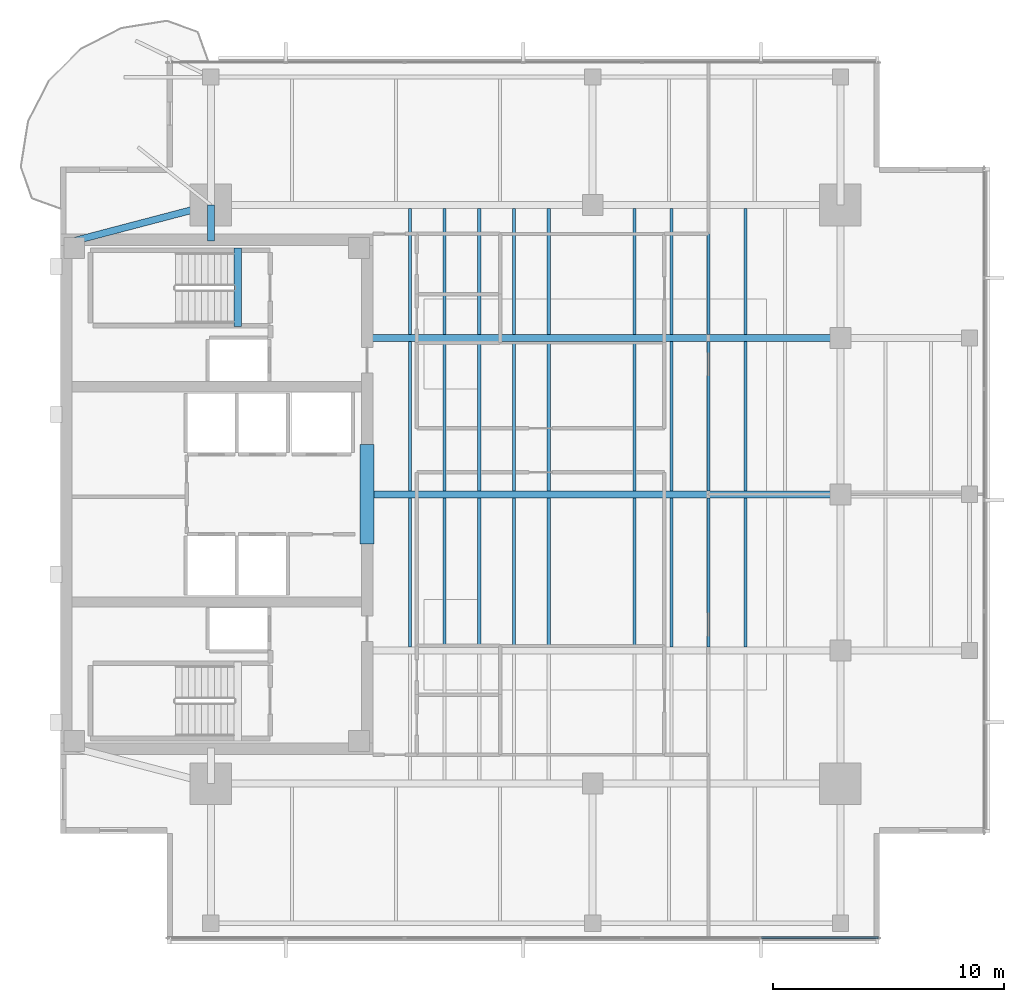
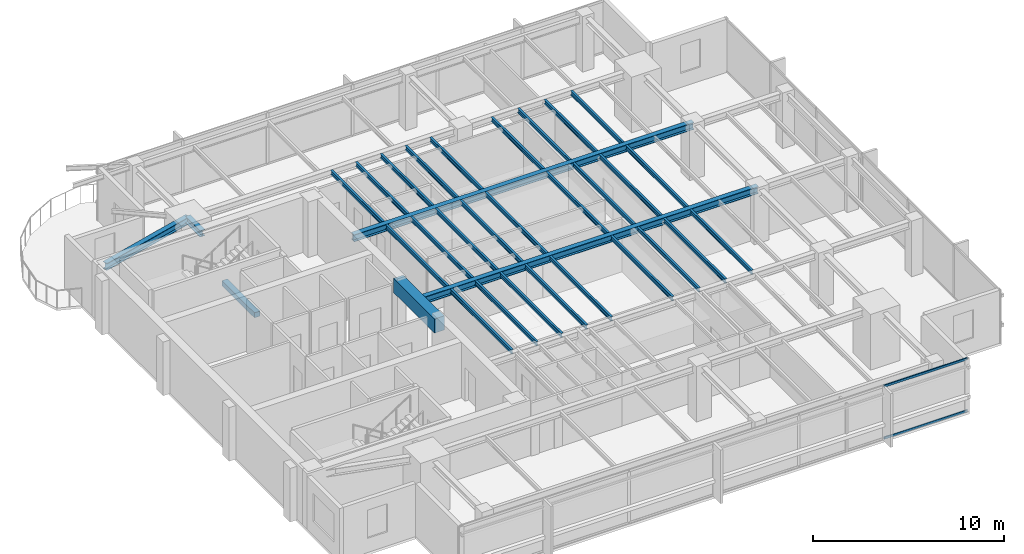
# One storey, part 3 of 14: 33 beams, 2 members, 1 element without a shape of its own.
"""IFC4 building model written with IfcOpenShell, lengths in metres."""

from ifc_helpers import new_model, si_unit, direction, frame, origin, origin_2d, place, context, subcontext, project, spatial, rectangle, i_section, extrude, material, layer, layer_set, material_profile, profile_set, type_object, element, aggregate, save


model = new_model("IFC4")

# Units and contexts
model_context = context("Model", 3, precision=1e-05, world=origin(), true_north=direction((0.0, 1.0)))
body_context = subcontext(model_context, "Body", "Model", "MODEL_VIEW")
ifc_project = project(units=[si_unit("LENGTHUNIT", "METRE"), si_unit("AREAUNIT", "SQUARE_METRE"), si_unit("VOLUMEUNIT", "CUBIC_METRE"), si_unit("PLANEANGLEUNIT", "RADIAN"), si_unit("MASSUNIT", "GRAM", prefix="KILO")], contexts=[model_context])

# Site, building, storey
site_placement = place(None, origin())
site = spatial("IfcSite", under=ifc_project, at=site_placement, CompositionType="ELEMENT")
building_placement = place(site_placement, origin())
building = spatial("IfcBuilding", under=site, at=building_placement, Name="Kinhvarn Gate Tower", CompositionType="ELEMENT")
storey_placement = place(building_placement, frame((0.0, 0.0, 259.89990234375)))
storey = spatial("IfcBuildingStorey", under=building, at=storey_placement, Name="L69", CompositionType="ELEMENT", Elevation=259.89990234375)

# Beams
ifc_material_1 = material(Name="Concrete C60/75", Category="concrete")
ifc_material_profile_1 = material_profile(ifc_material_1, rectangle(XDim=0.60009765625, YDim=0.89990234375, at=origin_2d()), Name="RC 600x900")
ifc_profile_set_1 = profile_set([ifc_material_profile_1], Name="Concrete C60/75")
beam_type_1 = type_object("IfcBeamType", Name="BM-CB-900", PredefinedType="LINTEL", material=ifc_profile_set_1)
beam_1_placement = place(storey_placement, frame((17.75, 23.10009765625, 2.940185546875), z_axis=(0.0, 1.0, 0.0), x_axis=(-1.0, 0.0, 0.0)))
element("IfcBeam", 1, at=beam_1_placement, inside=storey, type_object=beam_type_1, Name="Core East Portal Coupling Beam L69", PredefinedType="LINTEL", context=body_context, shape_type="SweptSolid", body=[
    extrude(rectangle(XDim=0.60009765625, YDim=0.89990234375, at=origin_2d()), origin(), (0.0, 0.0, 1.0), 4.2998046875),
])
ifc_material_2 = material(Name="Concrete C50/60", Category="concrete")
ifc_material_profile_2 = material_profile(ifc_material_2, rectangle(XDim=0.340087890625, YDim=0.320068359375, at=origin_2d()), Name="RC 340x320")
ifc_profile_set_2 = profile_set([ifc_material_profile_2], Name="Concrete C50/60")
beam_type_2 = type_object("IfcBeamType", Name="BM-LND-500", PredefinedType="BEAM", material=ifc_profile_set_2)
beam_2_placement = place(storey_placement, frame((12.1650390625, 32.5, -0.159912109375), z_axis=(0.0, 1.0, 0.0), x_axis=(-1.0, 0.0, 0.0)))
element("IfcBeam", 2, at=beam_2_placement, inside=storey, type_object=beam_type_2, Name="Stair ST2 Landing Nosing Beam (L69)", PredefinedType="BEAM", context=body_context, shape_type="SweptSolid", body=[
    extrude(rectangle(XDim=0.340087890625, YDim=0.320068359375, at=origin_2d()), origin(), (0.0, 0.0, 1.0), 3.39990234375),
])

# Curtain wall, members
ifc_material_3 = material(Name="Anodised aluminium AW-6063", Category="aluminium")
ifc_layer = layer(ifc_material_3, 0.179931640625)
ifc_layer_set = layer_set([ifc_layer], Name="Anodised aluminium AW-6063")
curtain_wall_type = type_object("IfcCurtainWallType", Name="CW-SYS-3", PredefinedType="NOTDEFINED", material=ifc_layer_set)
curtain_wall_placement = place(storey_placement, origin())
curtain_wall = element("IfcCurtainWall", 3, at=curtain_wall_placement, inside=storey, type_object=curtain_wall_type, Name="Curtain Wall CW3 (L69)", PredefinedType="NOTDEFINED")
ifc_material_profile_3 = material_profile(ifc_material_3, rectangle(XDim=0.070068359375, YDim=0.139892578125, at=origin_2d()), Name="ALU 70x140")
ifc_profile_set_3 = profile_set([ifc_material_profile_3], Name="Anodised aluminium AW-6063")
member_type = type_object("IfcMemberType", Name="CW-TRN-140", PredefinedType="USERDEFINED", material=ifc_profile_set_3)
member_1_placement = place(storey_placement, frame((34.799072265625, 6.090087890625, 0.03515625), z_axis=(1.0, 0.0, 0.0), x_axis=(0.0, 1.0, 0.0)))
member_1 = element("IfcMember", 4, at=member_1_placement, type_object=member_type, Name="CW3 transom 6.1", ObjectType="TRANSOM", PredefinedType="USERDEFINED", context=body_context, shape_type="SweptSolid", body=[
    extrude(rectangle(XDim=0.070068359375, YDim=0.139892578125, at=origin_2d()), origin(), (0.0, 0.0, 1.0), 5.035888671875),
])
member_2_placement = place(storey_placement, frame((34.799072265625, 6.090087890625, 3.35498046875), z_axis=(1.0, 0.0, 0.0), x_axis=(0.0, 1.0, 0.0)))
member_2 = element("IfcMember", 5, at=member_2_placement, type_object=member_type, Name="CW3 transom 6.2", ObjectType="TRANSOM", PredefinedType="USERDEFINED", context=body_context, shape_type="SweptSolid", body=[
    extrude(rectangle(XDim=0.070068359375, YDim=0.139892578125, at=origin_2d()), origin(), (0.0, 0.0, 1.0), 5.035888671875),
])
aggregate(curtain_wall, [member_1, member_2])

# Beams
ifc_material_4 = material(Name="Steel S355", Category="steel")
ifc_material_profile_4 = material_profile(ifc_material_4, i_section(OverallWidth=0.300048828125, OverallDepth=0.39990234375, WebThickness=0.013427734375, FlangeThickness=0.02392578125, at=origin_2d()), Name="HEB 400")
ifc_profile_set_4 = profile_set([ifc_material_profile_4], Name="Steel S355")
beam_type_3 = type_object("IfcBeamType", Name="STL-HEB400", PredefinedType="BEAM", material=ifc_profile_set_4)
beam_3_placement = place(storey_placement, frame((11.0, 36.199951171875, 3.190185546875), z_axis=(0.0, 1.0, 0.0), x_axis=(-1.0, 0.0, 0.0)))
element("IfcBeam", 6, at=beam_3_placement, inside=storey, type_object=beam_type_3, Name="Floor Beam PG-12 (L69 MCW-CN)", PredefinedType="BEAM", context=body_context, shape_type="SweptSolid", body=[
    extrude(i_section(OverallWidth=0.300048828125, OverallDepth=0.39990234375, WebThickness=0.013427734375, FlangeThickness=0.02392578125, at=origin_2d()), origin(), (0.0, 0.0, 1.0), 1.550048828125),
])
ifc_material_profile_5 = material_profile(ifc_material_4, i_section(OverallWidth=0.300048828125, OverallDepth=0.449951171875, WebThickness=0.013916015625, FlangeThickness=0.02587890625, at=origin_2d()), Name="HEB 450")
ifc_profile_set_5 = profile_set([ifc_material_profile_5], Name="Steel S355")
beam_type_4 = type_object("IfcBeamType", Name="STL-HEB450", PredefinedType="BEAM", material=ifc_profile_set_5)
beam_4_placement = place(storey_placement, frame((5.10009765625, 36.199951171875, 3.1650390625), z_axis=(0.967177623957, 0.254101246979, 0.0), x_axis=(-0.254101246979, 0.967177623957, 0.0)))
element("IfcBeam", 7, at=beam_4_placement, inside=storey, type_object=beam_type_4, Name="Floor Beam PG-13 (L69 MG-NW-DIAG)", PredefinedType="BEAM", context=body_context, shape_type="SweptSolid", body=[
    extrude(i_section(OverallWidth=0.300048828125, OverallDepth=0.449951171875, WebThickness=0.013916015625, FlangeThickness=0.02587890625, at=origin_2d()), origin(), (0.0, 0.0, 1.0), 6.10009765625),
])
beam_5_placement = place(storey_placement, frame((18.050048828125, 25.25, 3.1650390625), z_axis=(1.0, 0.0, 0.0), x_axis=(0.0, 1.0, 0.0)))
element("IfcBeam", 8, at=beam_5_placement, inside=storey, type_object=beam_type_4, Name="Floor Beam PG-13 (L69 EW1-Y25)", PredefinedType="BEAM", context=body_context, shape_type="SweptSolid", body=[
    extrude(i_section(OverallWidth=0.300048828125, OverallDepth=0.449951171875, WebThickness=0.013916015625, FlangeThickness=0.02587890625, at=origin_2d()), origin(), (0.0, 0.0, 1.0), 20.14990234375),
])
beam_6_placement = place(storey_placement, frame((17.64990234375, 32.0, 3.1650390625), z_axis=(1.0, 0.0, 0.0), x_axis=(0.0, 1.0, 0.0)))
element("IfcBeam", 9, at=beam_6_placement, inside=storey, type_object=beam_type_4, Name="Floor Beam PG-13 (L69 EW1-Y32)", PredefinedType="BEAM", context=body_context, shape_type="SweptSolid", body=[
    extrude(i_section(OverallWidth=0.300048828125, OverallDepth=0.449951171875, WebThickness=0.013916015625, FlangeThickness=0.02587890625, at=origin_2d()), origin(), (0.0, 0.0, 1.0), 20.550048828125),
])
ifc_material_profile_6 = material_profile(ifc_material_4, i_section(OverallWidth=0.135009765625, OverallDepth=0.27001953125, WebThickness=0.006591796875, FlangeThickness=0.01025390625, at=origin_2d()), Name="IPE 270")
ifc_profile_set_6 = profile_set([ifc_material_profile_6], Name="Steel S355")
beam_type_5 = type_object("IfcBeamType", Name="STL-IPE270", PredefinedType="JOIST", material=ifc_profile_set_6)
for number, where, z_axis, x_axis, name in (
    (10, (19.60009765625, 18.64990234375, 3.255126953125), (0.0, 1.0, 0.0), (-1.0, 0.0, 0.0), "Floor Joist SB-01 (L69 JC-X196-1)"),
    (11, (19.60009765625, 25.39990234375, 3.255126953125), (0.0, 1.0, 0.0), (-1.0, 0.0, 0.0), "Floor Joist SB-01 (L69 JC-X196-2)"),
):
    element("IfcBeam", number, at=place(storey_placement, frame(where, z_axis=z_axis, x_axis=x_axis)), inside=storey, type_object=beam_type_5, Name=name, PredefinedType="JOIST", context=body_context, shape_type="SweptSolid", body=[
        extrude(i_section(OverallWidth=0.135009765625, OverallDepth=0.27001953125, WebThickness=0.006591796875, FlangeThickness=0.01025390625, at=origin_2d()), origin(), (0.0, 0.0, 1.0), 6.4501953125),
    ])
beam_7_placement = place(storey_placement, frame((19.60009765625, 32.14990234375, 3.255126953125), z_axis=(0.0, 1.0, 0.0), x_axis=(-1.0, 0.0, 0.0)))
element("IfcBeam", 12, at=beam_7_placement, inside=storey, type_object=beam_type_5, Name="Floor Joist SB-01 (L69 JC-X196-3)", PredefinedType="JOIST", context=body_context, shape_type="SweptSolid", body=[
    extrude(i_section(OverallWidth=0.135009765625, OverallDepth=0.27001953125, WebThickness=0.006591796875, FlangeThickness=0.01025390625, at=origin_2d()), origin(), (0.0, 0.0, 1.0), 5.4501953125),
])
for number, where, z_axis, x_axis, name in (
    (13, (21.10009765625, 18.64990234375, 3.255126953125), (0.0, 1.0, 0.0), (-1.0, 0.0, 0.0), "Floor Joist SB-01 (L69 JC-X211-1)"),
    (14, (21.10009765625, 25.39990234375, 3.255126953125), (0.0, 1.0, 0.0), (-1.0, 0.0, 0.0), "Floor Joist SB-01 (L69 JC-X211-2)"),
):
    element("IfcBeam", number, at=place(storey_placement, frame(where, z_axis=z_axis, x_axis=x_axis)), inside=storey, type_object=beam_type_5, Name=name, PredefinedType="JOIST", context=body_context, shape_type="SweptSolid", body=[
        extrude(i_section(OverallWidth=0.135009765625, OverallDepth=0.27001953125, WebThickness=0.006591796875, FlangeThickness=0.01025390625, at=origin_2d()), origin(), (0.0, 0.0, 1.0), 6.4501953125),
    ])
beam_8_placement = place(storey_placement, frame((21.10009765625, 32.14990234375, 3.255126953125), z_axis=(0.0, 1.0, 0.0), x_axis=(-1.0, 0.0, 0.0)))
element("IfcBeam", 15, at=beam_8_placement, inside=storey, type_object=beam_type_5, Name="Floor Joist SB-01 (L69 JC-X211-3)", PredefinedType="JOIST", context=body_context, shape_type="SweptSolid", body=[
    extrude(i_section(OverallWidth=0.135009765625, OverallDepth=0.27001953125, WebThickness=0.006591796875, FlangeThickness=0.01025390625, at=origin_2d()), origin(), (0.0, 0.0, 1.0), 5.4501953125),
])
for number, where, z_axis, x_axis, name in (
    (16, (22.60009765625, 18.64990234375, 3.255126953125), (0.0, 1.0, 0.0), (-1.0, 0.0, 0.0), "Floor Joist SB-01 (L69 JC-X226-1)"),
    (17, (22.60009765625, 25.39990234375, 3.255126953125), (0.0, 1.0, 0.0), (-1.0, 0.0, 0.0), "Floor Joist SB-01 (L69 JC-X226-2)"),
):
    element("IfcBeam", number, at=place(storey_placement, frame(where, z_axis=z_axis, x_axis=x_axis)), inside=storey, type_object=beam_type_5, Name=name, PredefinedType="JOIST", context=body_context, shape_type="SweptSolid", body=[
        extrude(i_section(OverallWidth=0.135009765625, OverallDepth=0.27001953125, WebThickness=0.006591796875, FlangeThickness=0.01025390625, at=origin_2d()), origin(), (0.0, 0.0, 1.0), 6.4501953125),
    ])
beam_9_placement = place(storey_placement, frame((22.60009765625, 32.14990234375, 3.255126953125), z_axis=(0.0, 1.0, 0.0), x_axis=(-1.0, 0.0, 0.0)))
element("IfcBeam", 18, at=beam_9_placement, inside=storey, type_object=beam_type_5, Name="Floor Joist SB-01 (L69 JC-X226-3)", PredefinedType="JOIST", context=body_context, shape_type="SweptSolid", body=[
    extrude(i_section(OverallWidth=0.135009765625, OverallDepth=0.27001953125, WebThickness=0.006591796875, FlangeThickness=0.01025390625, at=origin_2d()), origin(), (0.0, 0.0, 1.0), 5.4501953125),
])
for number, where, z_axis, x_axis, name in (
    (19, (24.10009765625, 18.64990234375, 3.255126953125), (0.0, 1.0, 0.0), (-1.0, 0.0, 0.0), "Floor Joist SB-01 (L69 JC-X241-1)"),
    (20, (24.10009765625, 25.39990234375, 3.255126953125), (0.0, 1.0, 0.0), (-1.0, 0.0, 0.0), "Floor Joist SB-01 (L69 JC-X241-2)"),
):
    element("IfcBeam", number, at=place(storey_placement, frame(where, z_axis=z_axis, x_axis=x_axis)), inside=storey, type_object=beam_type_5, Name=name, PredefinedType="JOIST", context=body_context, shape_type="SweptSolid", body=[
        extrude(i_section(OverallWidth=0.135009765625, OverallDepth=0.27001953125, WebThickness=0.006591796875, FlangeThickness=0.01025390625, at=origin_2d()), origin(), (0.0, 0.0, 1.0), 6.4501953125),
    ])
beam_10_placement = place(storey_placement, frame((24.10009765625, 32.14990234375, 3.255126953125), z_axis=(0.0, 1.0, 0.0), x_axis=(-1.0, 0.0, 0.0)))
element("IfcBeam", 21, at=beam_10_placement, inside=storey, type_object=beam_type_5, Name="Floor Joist SB-01 (L69 JC-X241-3)", PredefinedType="JOIST", context=body_context, shape_type="SweptSolid", body=[
    extrude(i_section(OverallWidth=0.135009765625, OverallDepth=0.27001953125, WebThickness=0.006591796875, FlangeThickness=0.01025390625, at=origin_2d()), origin(), (0.0, 0.0, 1.0), 5.4501953125),
])
for number, where, z_axis, x_axis, name in (
    (22, (25.60009765625, 18.64990234375, 3.255126953125), (0.0, 1.0, 0.0), (-1.0, 0.0, 0.0), "Floor Joist SB-01 (L69 JC-X256-1)"),
    (23, (25.60009765625, 25.39990234375, 3.255126953125), (0.0, 1.0, 0.0), (-1.0, 0.0, 0.0), "Floor Joist SB-01 (L69 JC-X256-2)"),
):
    element("IfcBeam", number, at=place(storey_placement, frame(where, z_axis=z_axis, x_axis=x_axis)), inside=storey, type_object=beam_type_5, Name=name, PredefinedType="JOIST", context=body_context, shape_type="SweptSolid", body=[
        extrude(i_section(OverallWidth=0.135009765625, OverallDepth=0.27001953125, WebThickness=0.006591796875, FlangeThickness=0.01025390625, at=origin_2d()), origin(), (0.0, 0.0, 1.0), 6.4501953125),
    ])
beam_11_placement = place(storey_placement, frame((25.60009765625, 32.14990234375, 3.255126953125), z_axis=(0.0, 1.0, 0.0), x_axis=(-1.0, 0.0, 0.0)))
element("IfcBeam", 24, at=beam_11_placement, inside=storey, type_object=beam_type_5, Name="Floor Joist SB-01 (L69 JC-X256-3)", PredefinedType="JOIST", context=body_context, shape_type="SweptSolid", body=[
    extrude(i_section(OverallWidth=0.135009765625, OverallDepth=0.27001953125, WebThickness=0.006591796875, FlangeThickness=0.01025390625, at=origin_2d()), origin(), (0.0, 0.0, 1.0), 5.4501953125),
])
for number, where, z_axis, x_axis, name in (
    (25, (29.300048828125, 18.64990234375, 3.255126953125), (0.0, 1.0, 0.0), (-1.0, 0.0, 0.0), "Floor Joist SB-01 (L69 JC-X293-1)"),
    (26, (29.300048828125, 25.39990234375, 3.255126953125), (0.0, 1.0, 0.0), (-1.0, 0.0, 0.0), "Floor Joist SB-01 (L69 JC-X293-2)"),
):
    element("IfcBeam", number, at=place(storey_placement, frame(where, z_axis=z_axis, x_axis=x_axis)), inside=storey, type_object=beam_type_5, Name=name, PredefinedType="JOIST", context=body_context, shape_type="SweptSolid", body=[
        extrude(i_section(OverallWidth=0.135009765625, OverallDepth=0.27001953125, WebThickness=0.006591796875, FlangeThickness=0.01025390625, at=origin_2d()), origin(), (0.0, 0.0, 1.0), 6.4501953125),
    ])
beam_12_placement = place(storey_placement, frame((29.300048828125, 32.14990234375, 3.255126953125), z_axis=(0.0, 1.0, 0.0), x_axis=(-1.0, 0.0, 0.0)))
element("IfcBeam", 27, at=beam_12_placement, inside=storey, type_object=beam_type_5, Name="Floor Joist SB-01 (L69 JC-X293-3)", PredefinedType="JOIST", context=body_context, shape_type="SweptSolid", body=[
    extrude(i_section(OverallWidth=0.135009765625, OverallDepth=0.27001953125, WebThickness=0.006591796875, FlangeThickness=0.01025390625, at=origin_2d()), origin(), (0.0, 0.0, 1.0), 5.4501953125),
])
for number, where, z_axis, x_axis, name in (
    (28, (30.89990234375, 18.64990234375, 3.255126953125), (0.0, 1.0, 0.0), (-1.0, 0.0, 0.0), "Floor Joist SB-01 (L69 JC-X309-1)"),
    (29, (30.89990234375, 25.39990234375, 3.255126953125), (0.0, 1.0, 0.0), (-1.0, 0.0, 0.0), "Floor Joist SB-01 (L69 JC-X309-2)"),
):
    element("IfcBeam", number, at=place(storey_placement, frame(where, z_axis=z_axis, x_axis=x_axis)), inside=storey, type_object=beam_type_5, Name=name, PredefinedType="JOIST", context=body_context, shape_type="SweptSolid", body=[
        extrude(i_section(OverallWidth=0.135009765625, OverallDepth=0.27001953125, WebThickness=0.006591796875, FlangeThickness=0.01025390625, at=origin_2d()), origin(), (0.0, 0.0, 1.0), 6.4501953125),
    ])
beam_13_placement = place(storey_placement, frame((30.89990234375, 32.14990234375, 3.255126953125), z_axis=(0.0, 1.0, 0.0), x_axis=(-1.0, 0.0, 0.0)))
element("IfcBeam", 30, at=beam_13_placement, inside=storey, type_object=beam_type_5, Name="Floor Joist SB-01 (L69 JC-X309-3)", PredefinedType="JOIST", context=body_context, shape_type="SweptSolid", body=[
    extrude(i_section(OverallWidth=0.135009765625, OverallDepth=0.27001953125, WebThickness=0.006591796875, FlangeThickness=0.01025390625, at=origin_2d()), origin(), (0.0, 0.0, 1.0), 5.4501953125),
])
for number, where, z_axis, x_axis, name in (
    (31, (32.5, 18.64990234375, 3.255126953125), (0.0, 1.0, 0.0), (-1.0, 0.0, 0.0), "Floor Joist SB-01 (L69 JC-X325-1)"),
    (32, (32.5, 25.39990234375, 3.255126953125), (0.0, 1.0, 0.0), (-1.0, 0.0, 0.0), "Floor Joist SB-01 (L69 JC-X325-2)"),
):
    element("IfcBeam", number, at=place(storey_placement, frame(where, z_axis=z_axis, x_axis=x_axis)), inside=storey, type_object=beam_type_5, Name=name, PredefinedType="JOIST", context=body_context, shape_type="SweptSolid", body=[
        extrude(i_section(OverallWidth=0.135009765625, OverallDepth=0.27001953125, WebThickness=0.006591796875, FlangeThickness=0.01025390625, at=origin_2d()), origin(), (0.0, 0.0, 1.0), 6.4501953125),
    ])
beam_14_placement = place(storey_placement, frame((32.5, 32.14990234375, 3.255126953125), z_axis=(0.0, 1.0, 0.0), x_axis=(-1.0, 0.0, 0.0)))
element("IfcBeam", 33, at=beam_14_placement, inside=storey, type_object=beam_type_5, Name="Floor Joist SB-01 (L69 JC-X325-3)", PredefinedType="JOIST", context=body_context, shape_type="SweptSolid", body=[
    extrude(i_section(OverallWidth=0.135009765625, OverallDepth=0.27001953125, WebThickness=0.006591796875, FlangeThickness=0.01025390625, at=origin_2d()), origin(), (0.0, 0.0, 1.0), 5.4501953125),
])
for number, where, z_axis, x_axis, name in (
    (34, (34.10009765625, 18.64990234375, 3.255126953125), (0.0, 1.0, 0.0), (-1.0, 0.0, 0.0), "Floor Joist SB-01 (L69 JC-X341-1)"),
    (35, (34.10009765625, 25.39990234375, 3.255126953125), (0.0, 1.0, 0.0), (-1.0, 0.0, 0.0), "Floor Joist SB-01 (L69 JC-X341-2)"),
):
    element("IfcBeam", number, at=place(storey_placement, frame(where, z_axis=z_axis, x_axis=x_axis)), inside=storey, type_object=beam_type_5, Name=name, PredefinedType="JOIST", context=body_context, shape_type="SweptSolid", body=[
        extrude(i_section(OverallWidth=0.135009765625, OverallDepth=0.27001953125, WebThickness=0.006591796875, FlangeThickness=0.01025390625, at=origin_2d()), origin(), (0.0, 0.0, 1.0), 6.4501953125),
    ])
beam_15_placement = place(storey_placement, frame((34.10009765625, 32.14990234375, 3.255126953125), z_axis=(0.0, 1.0, 0.0), x_axis=(-1.0, 0.0, 0.0)))
element("IfcBeam", 36, at=beam_15_placement, inside=storey, type_object=beam_type_5, Name="Floor Joist SB-01 (L69 JC-X341-3)", PredefinedType="JOIST", context=body_context, shape_type="SweptSolid", body=[
    extrude(i_section(OverallWidth=0.135009765625, OverallDepth=0.27001953125, WebThickness=0.006591796875, FlangeThickness=0.01025390625, at=origin_2d()), origin(), (0.0, 0.0, 1.0), 5.4501953125),
])

save(model, "model.ifc")
